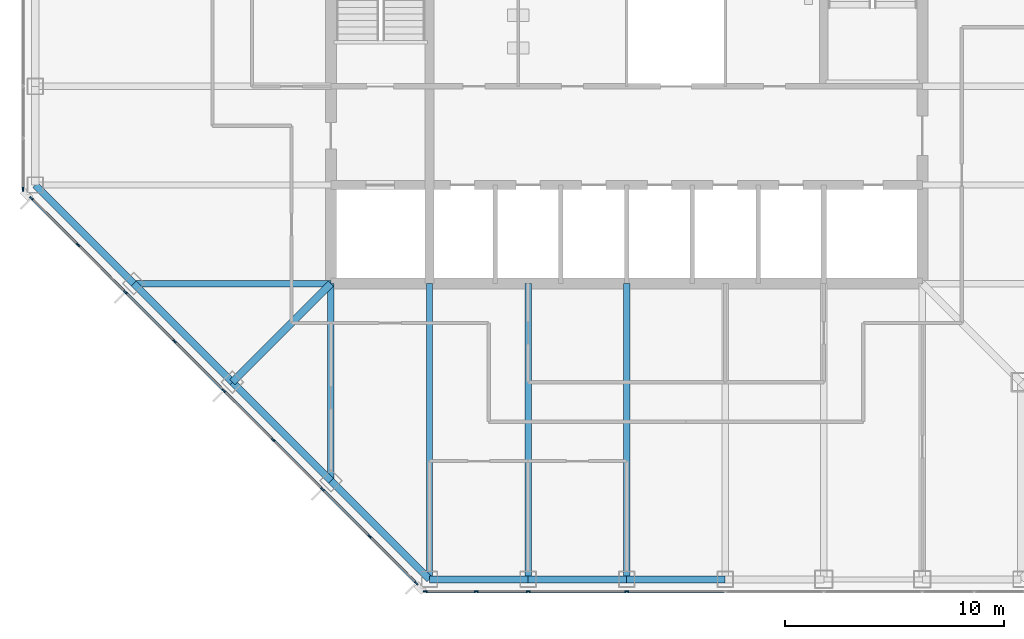
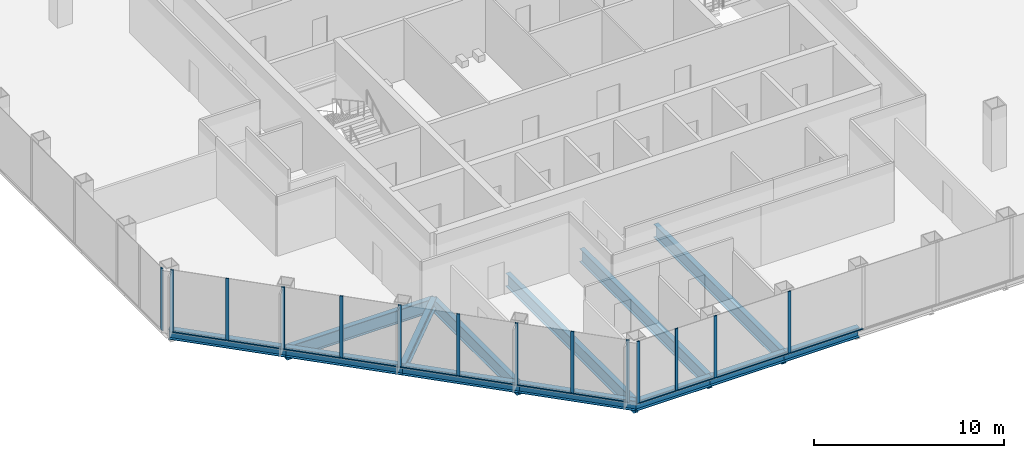
# One storey, part 2 of 13: 26 members, 13 beams, 3 elements without a shape of their own.
"""IFC4 building model written with IfcOpenShell, lengths in metres."""

from ifc_helpers import new_model, si_unit, direction, frame, origin, origin_2d, place, context, subcontext, project, spatial, rectangle, i_section, extrude, material, material_profile, profile_set, type_object, element, aggregate, save


model = new_model("IFC4")

# Units and contexts
model_context = context("Model", 3, precision=1e-05, world=origin(), true_north=direction((0.0, 1.0)))
body_context = subcontext(model_context, "Body", "Model", "MODEL_VIEW")
ifc_project = project(units=[si_unit("LENGTHUNIT", "METRE"), si_unit("AREAUNIT", "SQUARE_METRE"), si_unit("VOLUMEUNIT", "CUBIC_METRE"), si_unit("PLANEANGLEUNIT", "RADIAN"), si_unit("MASSUNIT", "GRAM", prefix="KILO")], contexts=[model_context])

# Site, building, storey
site_placement = place(None, origin())
site = spatial("IfcSite", under=ifc_project, at=site_placement, CompositionType="ELEMENT")
building_placement = place(site_placement, origin())
building = spatial("IfcBuilding", under=site, at=building_placement, Name="Corais Broadcast Tower", CompositionType="ELEMENT")
storey_placement = place(building_placement, frame((0.0, 0.0, 123.60009765625)))
storey = spatial("IfcBuildingStorey", under=building, at=storey_placement, Name="L27", CompositionType="ELEMENT", Elevation=123.60009765625)

# Beams
ifc_material_1 = material(Name="Steel ASTM A572 Grade 50", Category="steel")
ifc_material_profile_1 = material_profile(ifc_material_1, i_section(OverallWidth=0.323974609375, OverallDepth=0.611083984375, WebThickness=0.0126953125, FlangeThickness=0.01904296875, at=origin_2d()), Name="W610x155")
ifc_profile_set_1 = profile_set([ifc_material_profile_1], Name="Steel ASTM A572 Grade 50")
beam_type_1 = type_object("IfcBeamType", Name="Corner diagonal W610x155", PredefinedType="BEAM", material=ifc_profile_set_1)
beam_1_placement = place(storey_placement, frame((9.0, 9.0, -0.465576171875), z_axis=(0.707106781187, 0.707106781187, 0.0), x_axis=(-0.707106781187, 0.707106781187, 0.0)))
element("IfcBeam", 1, at=beam_1_placement, inside=storey, type_object=beam_type_1, Name="B6 C/5 to D/6", PredefinedType="BEAM", context=body_context, shape_type="SweptSolid", body=[
    extrude(i_section(OverallWidth=0.323974609375, OverallDepth=0.611083984375, WebThickness=0.0126953125, FlangeThickness=0.01904296875, at=origin_2d()), origin(), (0.0, 0.0, 1.0), 6.364013671875),
])
ifc_material_2 = material(Name="Steel ASTM A572 Grade 50", Category="steel")
ifc_material_profile_2 = material_profile(ifc_material_2, i_section(OverallWidth=0.2939453125, OverallDepth=0.85107421875, WebThickness=0.01611328125, FlangeThickness=0.02685546875, at=origin_2d()), Name="W840x226")
ifc_profile_set_2 = profile_set([ifc_material_profile_2], Name="Steel ASTM A572 Grade 50")
beam_type_2 = type_object("IfcBeamType", Name="Floor beam W840x226", PredefinedType="BEAM", material=ifc_profile_set_2)
beam_2_placement = place(storey_placement, frame((13.5, 4.5, -0.585693359375), z_axis=(0.0, 1.0, 0.0), x_axis=(-1.0, 0.0, 0.0)))
element("IfcBeam", 2, at=beam_2_placement, inside=storey, type_object=beam_type_2, Name="B1 B/6 to D/6", PredefinedType="BEAM", context=body_context, shape_type="SweptSolid", body=[
    extrude(i_section(OverallWidth=0.2939453125, OverallDepth=0.85107421875, WebThickness=0.01611328125, FlangeThickness=0.02685546875, at=origin_2d()), origin(), (0.0, 0.0, 1.0), 9.0),
])
for number, where, z_axis, x_axis, name in (
    (3, (18.0, 0.0, -0.585693359375), (0.0, 1.0, 0.0), (-1.0, 0.0, 0.0), "B1 A/7 to D/7"),
    (4, (22.5, 0.0, -0.585693359375), (0.0, 1.0, 0.0), (-1.0, 0.0, 0.0), "B1 A/8 to D/8"),
    (5, (27.0, 0.0, -0.585693359375), (0.0, 1.0, 0.0), (-1.0, 0.0, 0.0), "B1 A/9 to D/9"),
):
    element("IfcBeam", number, at=place(storey_placement, frame(where, z_axis=z_axis, x_axis=x_axis)), inside=storey, type_object=beam_type_2, Name=name, PredefinedType="BEAM", context=body_context, shape_type="SweptSolid", body=[
        extrude(i_section(OverallWidth=0.2939453125, OverallDepth=0.85107421875, WebThickness=0.01611328125, FlangeThickness=0.02685546875, at=origin_2d()), origin(), (0.0, 0.0, 1.0), 13.5),
    ])
beam_3_placement = place(storey_placement, frame((4.5, 13.5, -0.585693359375), z_axis=(1.0, 0.0, 0.0), x_axis=(0.0, 1.0, 0.0)))
element("IfcBeam", 6, at=beam_3_placement, inside=storey, type_object=beam_type_2, Name="B1 D/4 to D/6", PredefinedType="BEAM", context=body_context, shape_type="SweptSolid", body=[
    extrude(i_section(OverallWidth=0.2939453125, OverallDepth=0.85107421875, WebThickness=0.01611328125, FlangeThickness=0.02685546875, at=origin_2d()), origin(), (0.0, 0.0, 1.0), 9.0),
])

# Curtain wall, members
ifc_material_3 = material(Name="Aluminium and glass", Category="aluminium")
curtain_wall_type = type_object("IfcCurtainWallType", Name="Unitised fritted curtain wall CW2", PredefinedType="NOTDEFINED", material=ifc_material_3)
curtain_wall_1_placement = place(storey_placement, origin())
curtain_wall_1 = element("IfcCurtainWall", 7, at=curtain_wall_1_placement, inside=storey, type_object=curtain_wall_type, Name="CW2 curtain wall L27 1", PredefinedType="NOTDEFINED")
ifc_material_4 = material(Name="Aluminium 6063-T6", Category="aluminium")
ifc_material_profile_3 = material_profile(ifc_material_4, rectangle(XDim=0.06494140625, YDim=0.179931640625, at=origin_2d()), Name="Mullion CW2 65x180")
ifc_profile_set_3 = profile_set([ifc_material_profile_3], Name="Aluminium 6063-T6")
member_type_1 = type_object("IfcMemberType", Name="Mullion CW2 65x180", PredefinedType="MULLION", material=ifc_profile_set_3)
member_1_placement = place(storey_placement, frame((17.3955078125, -0.17333984375, 0.0), z_axis=(0.0, 0.0, 1.0), x_axis=(-0.707106781187, -0.707106781187, 0.0)))
member_1 = element("IfcMember", 8, at=member_1_placement, type_object=member_type_1, Name="CW2 mullion 1", PredefinedType="MULLION", context=body_context, shape_type="SweptSolid", body=[
    extrude(rectangle(XDim=0.06494140625, YDim=0.179931640625, at=origin_2d()), origin(), (0.0, 0.0, 1.0), 4.0),
])
member_2_placement = place(storey_placement, frame((15.264892578125, 1.957275390625, 0.0), z_axis=(0.0, 0.0, 1.0), x_axis=(-0.707106781187, -0.707106781187, 0.0)))
member_2 = element("IfcMember", 9, at=member_2_placement, type_object=member_type_1, Name="CW2 mullion 2", PredefinedType="MULLION", context=body_context, shape_type="SweptSolid", body=[
    extrude(rectangle(XDim=0.06494140625, YDim=0.179931640625, at=origin_2d()), origin(), (0.0, 0.0, 1.0), 4.0),
])
member_3_placement = place(storey_placement, frame((13.111083984375, 4.111083984375, 0.0), z_axis=(0.0, 0.0, 1.0), x_axis=(-0.707106781187, -0.707106781187, 0.0)))
member_3 = element("IfcMember", 10, at=member_3_placement, type_object=member_type_1, Name="CW2 mullion 3", PredefinedType="MULLION", context=body_context, shape_type="SweptSolid", body=[
    extrude(rectangle(XDim=0.06494140625, YDim=0.179931640625, at=origin_2d()), origin(), (0.0, 0.0, 1.0), 4.0),
])
member_4_placement = place(storey_placement, frame((10.861083984375, 6.361083984375, 0.0), z_axis=(0.0, 0.0, 1.0), x_axis=(-0.707106781187, -0.707106781187, 0.0)))
member_4 = element("IfcMember", 11, at=member_4_placement, type_object=member_type_1, Name="CW2 mullion 4", PredefinedType="MULLION", context=body_context, shape_type="SweptSolid", body=[
    extrude(rectangle(XDim=0.06494140625, YDim=0.179931640625, at=origin_2d()), origin(), (0.0, 0.0, 1.0), 4.0),
])
member_5_placement = place(storey_placement, frame((8.611083984375, 8.611083984375, 0.0), z_axis=(0.0, 0.0, 1.0), x_axis=(-0.707106781187, -0.707106781187, 0.0)))
member_5 = element("IfcMember", 12, at=member_5_placement, type_object=member_type_1, Name="CW2 mullion 5", PredefinedType="MULLION", context=body_context, shape_type="SweptSolid", body=[
    extrude(rectangle(XDim=0.06494140625, YDim=0.179931640625, at=origin_2d()), origin(), (0.0, 0.0, 1.0), 4.0),
])
member_6_placement = place(storey_placement, frame((6.361083984375, 10.861083984375, 0.0), z_axis=(0.0, 0.0, 1.0), x_axis=(-0.707106781187, -0.707106781187, 0.0)))
member_6 = element("IfcMember", 13, at=member_6_placement, type_object=member_type_1, Name="CW2 mullion 6", PredefinedType="MULLION", context=body_context, shape_type="SweptSolid", body=[
    extrude(rectangle(XDim=0.06494140625, YDim=0.179931640625, at=origin_2d()), origin(), (0.0, 0.0, 1.0), 4.0),
])
member_7_placement = place(storey_placement, frame((4.111083984375, 13.111083984375, 0.0), z_axis=(0.0, 0.0, 1.0), x_axis=(-0.707106781187, -0.707106781187, 0.0)))
member_7 = element("IfcMember", 14, at=member_7_placement, type_object=member_type_1, Name="CW2 mullion 7", PredefinedType="MULLION", context=body_context, shape_type="SweptSolid", body=[
    extrude(rectangle(XDim=0.06494140625, YDim=0.179931640625, at=origin_2d()), origin(), (0.0, 0.0, 1.0), 4.0),
])
member_8_placement = place(storey_placement, frame((1.957275390625, 15.264892578125, 0.0), z_axis=(0.0, 0.0, 1.0), x_axis=(-0.707106781187, -0.707106781187, 0.0)))
member_8 = element("IfcMember", 15, at=member_8_placement, type_object=member_type_1, Name="CW2 mullion 8", PredefinedType="MULLION", context=body_context, shape_type="SweptSolid", body=[
    extrude(rectangle(XDim=0.06494140625, YDim=0.179931640625, at=origin_2d()), origin(), (0.0, 0.0, 1.0), 4.0),
])
member_9_placement = place(storey_placement, frame((-0.17333984375, 17.3955078125, 0.0), z_axis=(0.0, 0.0, 1.0), x_axis=(-0.707106781187, -0.707106781187, 0.0)))
member_9 = element("IfcMember", 16, at=member_9_placement, type_object=member_type_1, Name="CW2 mullion 9", PredefinedType="MULLION", context=body_context, shape_type="SweptSolid", body=[
    extrude(rectangle(XDim=0.06494140625, YDim=0.179931640625, at=origin_2d()), origin(), (0.0, 0.0, 1.0), 4.0),
])

# Curtain wall, member
curtain_wall_2_placement = place(storey_placement, origin())
curtain_wall_2 = element("IfcCurtainWall", 17, at=curtain_wall_2_placement, inside=storey, type_object=curtain_wall_type, Name="CW2 curtain wall L27 2", PredefinedType="NOTDEFINED")
member_10_placement = place(storey_placement, frame((-0.550048828125, 17.8046875, 0.0), z_axis=(0.0, 0.0, 1.0), x_axis=(-1.0, 0.0, 0.0)))
member_10 = element("IfcMember", 18, at=member_10_placement, type_object=member_type_1, Name="CW2 mullion 1", PredefinedType="MULLION", context=body_context, shape_type="SweptSolid", body=[
    extrude(rectangle(XDim=0.06494140625, YDim=0.179931640625, at=origin_2d()), origin(), (0.0, 0.0, 1.0), 4.0),
])
aggregate(curtain_wall_2, [member_10])

# Curtain wall, members
curtain_wall_3_placement = place(storey_placement, origin())
curtain_wall_3 = element("IfcCurtainWall", 19, at=curtain_wall_3_placement, inside=storey, type_object=curtain_wall_type, Name="CW2 curtain wall L27 8", PredefinedType="NOTDEFINED")
member_11_placement = place(storey_placement, frame((27.0, -0.550048828125, 0.0), z_axis=(0.0, 0.0, 1.0), x_axis=(0.0, -1.0, 0.0)))
member_11 = element("IfcMember", 20, at=member_11_placement, type_object=member_type_1, Name="CW2 mullion 6", PredefinedType="MULLION", context=body_context, shape_type="SweptSolid", body=[
    extrude(rectangle(XDim=0.06494140625, YDim=0.179931640625, at=origin_2d()), origin(), (0.0, 0.0, 1.0), 4.0),
])
member_12_placement = place(storey_placement, frame((22.5, -0.550048828125, 0.0), z_axis=(0.0, 0.0, 1.0), x_axis=(0.0, -1.0, 0.0)))
member_12 = element("IfcMember", 21, at=member_12_placement, type_object=member_type_1, Name="CW2 mullion 7", PredefinedType="MULLION", context=body_context, shape_type="SweptSolid", body=[
    extrude(rectangle(XDim=0.06494140625, YDim=0.179931640625, at=origin_2d()), origin(), (0.0, 0.0, 1.0), 4.0),
])
member_13_placement = place(storey_placement, frame((20.135986328125, -0.550048828125, 0.0), z_axis=(0.0, 0.0, 1.0), x_axis=(0.0, -1.0, 0.0)))
member_13 = element("IfcMember", 22, at=member_13_placement, type_object=member_type_1, Name="CW2 mullion 8", PredefinedType="MULLION", context=body_context, shape_type="SweptSolid", body=[
    extrude(rectangle(XDim=0.06494140625, YDim=0.179931640625, at=origin_2d()), origin(), (0.0, 0.0, 1.0), 4.0),
])
member_14_placement = place(storey_placement, frame((17.8046875, -0.550048828125, 0.0), z_axis=(0.0, 0.0, 1.0), x_axis=(0.0, -1.0, 0.0)))
member_14 = element("IfcMember", 23, at=member_14_placement, type_object=member_type_1, Name="CW2 mullion 9", PredefinedType="MULLION", context=body_context, shape_type="SweptSolid", body=[
    extrude(rectangle(XDim=0.06494140625, YDim=0.179931640625, at=origin_2d()), origin(), (0.0, 0.0, 1.0), 4.0),
])

# Beams
ifc_material_5 = material(Name="Steel ASTM A572 Grade 50", Category="steel")
ifc_material_profile_4 = material_profile(ifc_material_5, i_section(OverallWidth=0.3291015625, OverallDepth=0.635009765625, WebThickness=0.017822265625, FlangeThickness=0.031005859375, at=origin_2d()), Name="W610x241")
ifc_profile_set_4 = profile_set([ifc_material_profile_4], Name="Steel ASTM A572 Grade 50")
beam_type_3 = type_object("IfcBeamType", Name="Spandrel W610x241", PredefinedType="BEAM", material=ifc_profile_set_4)
for number, where, z_axis, x_axis, name in (
    (24, (0.0, 18.0, -0.4775390625), (0.707106781187, -0.707106781187, 0.0), (0.707106781187, 0.707106781187, 0.0), "SB1 E/3 to D/4"),
    (25, (13.5, 4.5, -0.4775390625), (0.707106781187, -0.707106781187, 0.0), (0.707106781187, 0.707106781187, 0.0), "SB1 B/6 to A/7"),
):
    element("IfcBeam", number, at=place(storey_placement, frame(where, z_axis=z_axis, x_axis=x_axis)), inside=storey, type_object=beam_type_3, Name=name, PredefinedType="BEAM", context=body_context, shape_type="SweptSolid", body=[
        extrude(i_section(OverallWidth=0.3291015625, OverallDepth=0.635009765625, WebThickness=0.017822265625, FlangeThickness=0.031005859375, at=origin_2d()), origin(), (0.0, 0.0, 1.0), 6.364013671875),
    ])
for number, where, z_axis, x_axis, name in (
    (26, (18.0, 0.0, -0.4775390625), (1.0, 0.0, 0.0), (0.0, 1.0, 0.0), "SB1 A/7 to A/8"),
    (27, (22.5, 0.0, -0.4775390625), (1.0, 0.0, 0.0), (0.0, 1.0, 0.0), "SB1 A/8 to A/9"),
    (28, (27.0, 0.0, -0.4775390625), (1.0, 0.0, 0.0), (0.0, 1.0, 0.0), "SB1 A/9 to A/10"),
):
    element("IfcBeam", number, at=place(storey_placement, frame(where, z_axis=z_axis, x_axis=x_axis)), inside=storey, type_object=beam_type_3, Name=name, PredefinedType="BEAM", context=body_context, shape_type="SweptSolid", body=[
        extrude(i_section(OverallWidth=0.3291015625, OverallDepth=0.635009765625, WebThickness=0.017822265625, FlangeThickness=0.031005859375, at=origin_2d()), origin(), (0.0, 0.0, 1.0), 4.5),
    ])
for number, where, z_axis, x_axis, name in (
    (29, (4.5, 13.5, -0.4775390625), (0.707106781187, -0.707106781187, 0.0), (0.707106781187, 0.707106781187, 0.0), "SB1 D/4 to C/5"),
    (30, (9.0, 9.0, -0.4775390625), (0.707106781187, -0.707106781187, 0.0), (0.707106781187, 0.707106781187, 0.0), "SB1 C/5 to B/6"),
):
    element("IfcBeam", number, at=place(storey_placement, frame(where, z_axis=z_axis, x_axis=x_axis)), inside=storey, type_object=beam_type_3, Name=name, PredefinedType="BEAM", context=body_context, shape_type="SweptSolid", body=[
        extrude(i_section(OverallWidth=0.3291015625, OverallDepth=0.635009765625, WebThickness=0.017822265625, FlangeThickness=0.031005859375, at=origin_2d()), origin(), (0.0, 0.0, 1.0), 6.364013671875),
    ])

# Member
ifc_material_6 = material(Name="Aluminium 6063-T6", Category="aluminium")
ifc_material_profile_5 = material_profile(ifc_material_6, rectangle(XDim=0.1298828125, YDim=0.06494140625, at=origin_2d()), Name="Transom CW2 65x130")
ifc_profile_set_5 = profile_set([ifc_material_profile_5], Name="Aluminium 6063-T6")
member_type_2 = type_object("IfcMemberType", Name="Transom CW2 65x130", PredefinedType="USERDEFINED", material=ifc_profile_set_5)
member_15_placement = place(storey_placement, frame((17.37255859375, -0.150390625, 0.032470703125), z_axis=(-0.707106781187, 0.707106781187, 0.0), x_axis=(-0.707106781187, -0.707106781187, 0.0)))
member_15 = element("IfcMember", 31, at=member_15_placement, type_object=member_type_2, Name="CW2 transom 1.1", ObjectType="TRANSOM", PredefinedType="USERDEFINED", context=body_context, shape_type="SweptSolid", body=[
    extrude(rectangle(XDim=0.1298828125, YDim=0.06494140625, at=origin_2d()), origin(), (0.0, 0.0, 1.0), 2.9482421875),
])

member_16_placement = place(storey_placement, frame((15.241943359375, 1.980224609375, 0.032470703125), z_axis=(-0.707106781187, 0.707106781187, 0.0), x_axis=(-0.707106781187, -0.707106781187, 0.0)))
member_16 = element("IfcMember", 32, at=member_16_placement, type_object=member_type_2, Name="CW2 transom 2.1", ObjectType="TRANSOM", PredefinedType="USERDEFINED", context=body_context, shape_type="SweptSolid", body=[
    extrude(rectangle(XDim=0.1298828125, YDim=0.06494140625, at=origin_2d()), origin(), (0.0, 0.0, 1.0), 2.98095703125),
])

member_17_placement = place(storey_placement, frame((13.088134765625, 4.134033203125, 0.032470703125), z_axis=(-0.707106781187, 0.707106781187, 0.0), x_axis=(-0.707106781187, -0.707106781187, 0.0)))
member_17 = element("IfcMember", 33, at=member_17_placement, type_object=member_type_2, Name="CW2 transom 3.1", ObjectType="TRANSOM", PredefinedType="USERDEFINED", context=body_context, shape_type="SweptSolid", body=[
    extrude(rectangle(XDim=0.1298828125, YDim=0.06494140625, at=origin_2d()), origin(), (0.0, 0.0, 1.0), 3.1171875),
])

member_18_placement = place(storey_placement, frame((10.838134765625, 6.384033203125, 0.032470703125), z_axis=(-0.707106781187, 0.707106781187, 0.0), x_axis=(-0.707106781187, -0.707106781187, 0.0)))
member_18 = element("IfcMember", 34, at=member_18_placement, type_object=member_type_2, Name="CW2 transom 4.1", ObjectType="TRANSOM", PredefinedType="USERDEFINED", context=body_context, shape_type="SweptSolid", body=[
    extrude(rectangle(XDim=0.1298828125, YDim=0.06494140625, at=origin_2d()), origin(), (0.0, 0.0, 1.0), 3.1171875),
])

member_19_placement = place(storey_placement, frame((8.588134765625, 8.634033203125, 0.032470703125), z_axis=(-0.707106781187, 0.707106781187, 0.0), x_axis=(-0.707106781187, -0.707106781187, 0.0)))
member_19 = element("IfcMember", 35, at=member_19_placement, type_object=member_type_2, Name="CW2 transom 5.1", ObjectType="TRANSOM", PredefinedType="USERDEFINED", context=body_context, shape_type="SweptSolid", body=[
    extrude(rectangle(XDim=0.1298828125, YDim=0.06494140625, at=origin_2d()), origin(), (0.0, 0.0, 1.0), 3.1171875),
])

member_20_placement = place(storey_placement, frame((6.338134765625, 10.884033203125, 0.032470703125), z_axis=(-0.707106781187, 0.707106781187, 0.0), x_axis=(-0.707106781187, -0.707106781187, 0.0)))
member_20 = element("IfcMember", 36, at=member_20_placement, type_object=member_type_2, Name="CW2 transom 6.1", ObjectType="TRANSOM", PredefinedType="USERDEFINED", context=body_context, shape_type="SweptSolid", body=[
    extrude(rectangle(XDim=0.1298828125, YDim=0.06494140625, at=origin_2d()), origin(), (0.0, 0.0, 1.0), 3.1171875),
])

member_21_placement = place(storey_placement, frame((4.088134765625, 13.134033203125, 0.032470703125), z_axis=(-0.707065828661, 0.70714773134, 0.0), x_axis=(-0.70714773134, -0.707065828661, 0.0)))
member_21 = element("IfcMember", 37, at=member_21_placement, type_object=member_type_2, Name="CW2 transom 7.1", ObjectType="TRANSOM", PredefinedType="USERDEFINED", context=body_context, shape_type="SweptSolid", body=[
    extrude(rectangle(XDim=0.1298828125, YDim=0.06494140625, at=origin_2d()), origin(), (0.0, 0.0, 1.0), 2.98095703125),
])

member_22_placement = place(storey_placement, frame((1.934326171875, 15.287841796875, 0.032470703125), z_axis=(-0.707106781187, 0.707106781187, 0.0), x_axis=(-0.707106781187, -0.707106781187, 0.0)))
member_22 = element("IfcMember", 38, at=member_22_placement, type_object=member_type_2, Name="CW2 transom 8.1", ObjectType="TRANSOM", PredefinedType="USERDEFINED", context=body_context, shape_type="SweptSolid", body=[
    extrude(rectangle(XDim=0.1298828125, YDim=0.06494140625, at=origin_2d()), origin(), (0.0, 0.0, 1.0), 2.9482421875),
])

aggregate(curtain_wall_1, [member_1, member_2, member_3, member_4, member_5, member_6, member_7, member_8, member_9, member_15, member_16, member_17, member_18, member_19, member_20, member_21, member_22])

member_23_placement = place(storey_placement, frame((31.467529296875, -0.550048828125, 0.032470703125), z_axis=(-1.0, 0.0, 0.0), x_axis=(0.0, -1.0, 0.0)))
member_23 = element("IfcMember", 39, at=member_23_placement, type_object=member_type_2, Name="CW2 transom 5.1", ObjectType="TRANSOM", PredefinedType="USERDEFINED", context=body_context, shape_type="SweptSolid", body=[
    extrude(rectangle(XDim=0.1298828125, YDim=0.06494140625, at=origin_2d()), origin(), (0.0, 0.0, 1.0), 4.43505859375),
])

member_24_placement = place(storey_placement, frame((26.967529296875, -0.550048828125, 0.032470703125), z_axis=(-1.0, 0.0, 0.0), x_axis=(0.0, -1.0, 0.0)))
member_24 = element("IfcMember", 40, at=member_24_placement, type_object=member_type_2, Name="CW2 transom 6.1", ObjectType="TRANSOM", PredefinedType="USERDEFINED", context=body_context, shape_type="SweptSolid", body=[
    extrude(rectangle(XDim=0.1298828125, YDim=0.06494140625, at=origin_2d()), origin(), (0.0, 0.0, 1.0), 4.43505859375),
])

member_25_placement = place(storey_placement, frame((22.467529296875, -0.550048828125, 0.032470703125), z_axis=(-1.0, 0.0, 0.0), x_axis=(0.0, -1.0, 0.0)))
member_25 = element("IfcMember", 41, at=member_25_placement, type_object=member_type_2, Name="CW2 transom 7.1", ObjectType="TRANSOM", PredefinedType="USERDEFINED", context=body_context, shape_type="SweptSolid", body=[
    extrude(rectangle(XDim=0.1298828125, YDim=0.06494140625, at=origin_2d()), origin(), (0.0, 0.0, 1.0), 2.298828125),
])

member_26_placement = place(storey_placement, frame((20.103515625, -0.550048828125, 0.032470703125), z_axis=(-1.0, 0.0, 0.0), x_axis=(0.0, -1.0, 0.0)))
member_26 = element("IfcMember", 42, at=member_26_placement, type_object=member_type_2, Name="CW2 transom 8.1", ObjectType="TRANSOM", PredefinedType="USERDEFINED", context=body_context, shape_type="SweptSolid", body=[
    extrude(rectangle(XDim=0.1298828125, YDim=0.06494140625, at=origin_2d()), origin(), (0.0, 0.0, 1.0), 2.266357421875),
])

aggregate(curtain_wall_3, [member_11, member_12, member_13, member_14, member_23, member_24, member_25, member_26])

save(model, "model.ifc")
